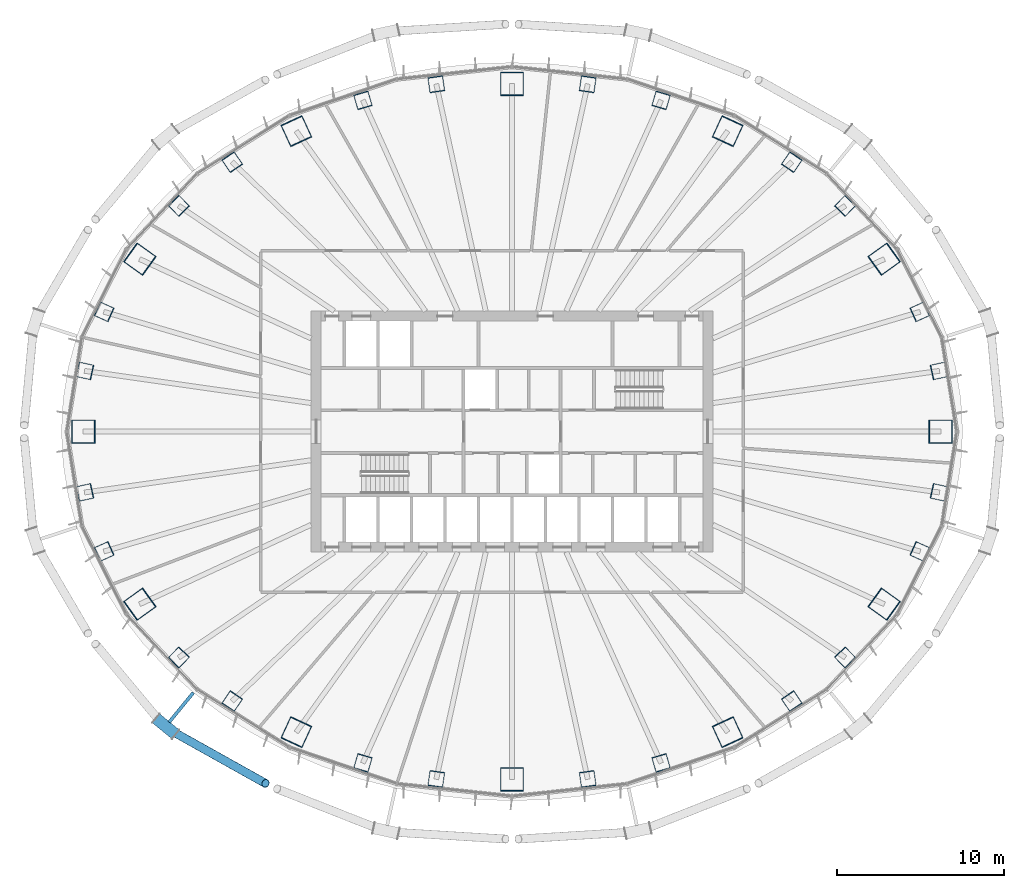
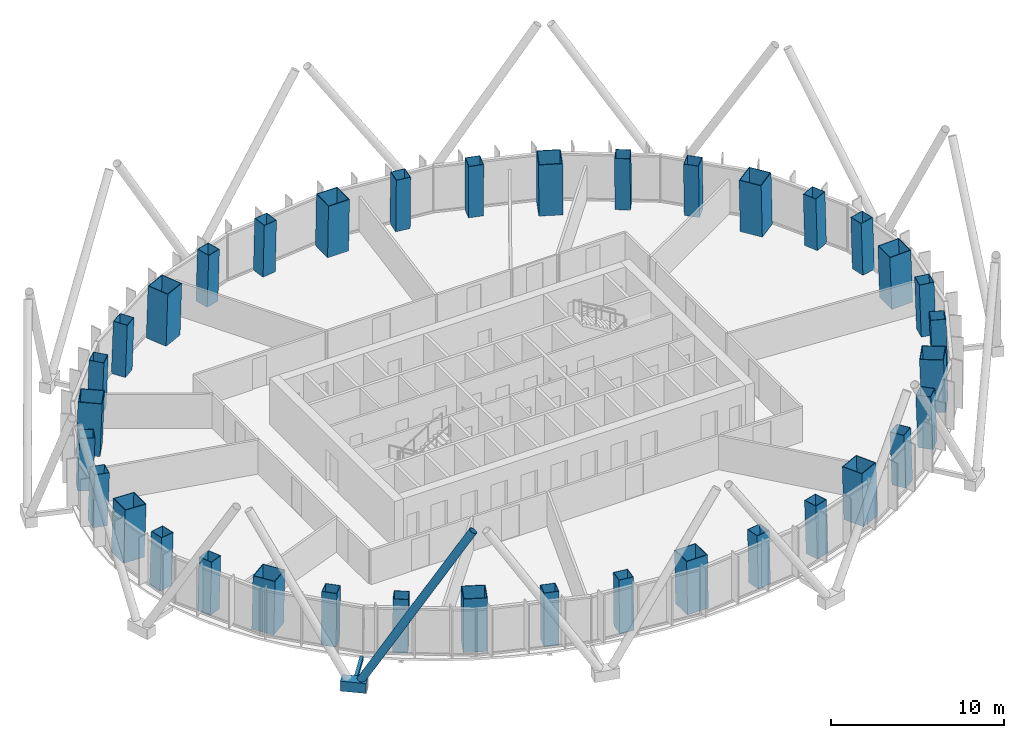
# One storey, part 1 of 18: 36 columns, 3 members.
"""IFC4 building model written with IfcOpenShell, lengths in metres."""

from ifc_helpers import new_model, si_unit, direction, frame, origin, origin_2d, place, context, subcontext, project, spatial, hollow_rectangle, hollow_circle, extrude, material, material_profile, profile_set, type_object, element, save


model = new_model("IFC4")

# Units and contexts
model_context = context("Model", 3, precision=1e-05, world=origin(), true_north=direction((0.0, 1.0)))
body_context = subcontext(model_context, "Body", "Model", "MODEL_VIEW")
ifc_project = project(units=[si_unit("LENGTHUNIT", "METRE"), si_unit("AREAUNIT", "SQUARE_METRE"), si_unit("VOLUMEUNIT", "CUBIC_METRE"), si_unit("PLANEANGLEUNIT", "RADIAN"), si_unit("MASSUNIT", "GRAM", prefix="KILO")], contexts=[model_context])

# Site, building, storey
site_placement = place(None, origin())
site = spatial("IfcSite", under=ifc_project, at=site_placement, CompositionType="ELEMENT")
building_placement = place(site_placement, origin())
building = spatial("IfcBuilding", under=site, at=building_placement, Name="Siaravel Broadcast Tower", CompositionType="ELEMENT")
storey_placement = place(building_placement, frame((0.0, 0.0, 81.5)))
storey = spatial("IfcBuildingStorey", under=building, at=storey_placement, Name="L19", CompositionType="ELEMENT", Elevation=81.5)

# Columns
ifc_material_1 = material(Name="Concrete C70/85", Category="concrete")
ifc_material_profile_1 = material_profile(ifc_material_1, hollow_rectangle(XDim=1.39990234375, YDim=1.39990234375, WallThickness=0.0400390625, at=origin_2d()))
ifc_profile_set_1 = profile_set([ifc_material_profile_1], Name="Concrete C70/85")
column_type_1 = type_object("IfcColumnType", Name="COL-CFT BOX 1400x1400x40", PredefinedType="COLUMN", material=ifc_profile_set_1)
column_1_placement = place(storey_placement, frame((25.62158203125, 0.0, 0.0), z_axis=(-0.034621265, 0.0, 0.999400504), x_axis=(0.0, -1.0, 0.0)))
element("IfcColumn", 1, at=column_1_placement, inside=storey, type_object=column_type_1, Name="Megacolumn MC01", PredefinedType="COLUMN", context=body_context, shape_type="SweptSolid", body=[
    extrude(hollow_rectangle(XDim=1.39990234375, YDim=1.39990234375, WallThickness=0.0400390625, at=origin_2d()), origin(), (0.0, 0.0, 1.0), 3.7021484375),
])
column_2_placement = place(storey_placement, frame((22.242431640625, 10.310302734375, 0.0), z_axis=(-0.029940667, -0.01417895, 0.999451106), x_axis=(0.582740001, -0.812637031, 0.005928538)))
element("IfcColumn", 2, at=column_2_placement, inside=storey, type_object=column_type_1, Name="Megacolumn MC02", PredefinedType="COLUMN", context=body_context, shape_type="SweptSolid", body=[
    extrude(hollow_rectangle(XDim=1.39990234375, YDim=1.39990234375, WallThickness=0.0400390625, at=origin_2d()), origin(), (0.0, 0.0, 1.0), 3.701904296875),
])
column_3_placement = place(storey_placement, frame((12.890380859375, 17.961181640625, 0.0), z_axis=(-0.017280209, -0.024601214, 0.999547985), x_axis=(0.908252057, -0.418388568, 0.005404362)))
element("IfcColumn", 3, at=column_3_placement, inside=storey, type_object=column_type_1, Name="Megacolumn MC03", PredefinedType="COLUMN", context=body_context, shape_type="SweptSolid", body=[
    extrude(hollow_rectangle(XDim=1.39990234375, YDim=1.39990234375, WallThickness=0.0400390625, at=origin_2d()), origin(), (0.0, 0.0, 1.0), 3.70166015625),
])
column_4_placement = place(storey_placement, frame((0.0, 20.787841796875, 0.0), z_axis=(0.0, -0.028296154, 0.999599584), x_axis=(1.0, 0.0, 0.0)))
element("IfcColumn", 4, at=column_4_placement, inside=storey, type_object=column_type_1, Name="Megacolumn MC04", PredefinedType="COLUMN", context=body_context, shape_type="SweptSolid", body=[
    extrude(hollow_rectangle(XDim=1.39990234375, YDim=1.39990234375, WallThickness=0.0400390625, at=origin_2d()), origin(), (0.0, 0.0, 1.0), 3.701416015625),
])
column_5_placement = place(storey_placement, frame((-12.890380859375, 17.961181640625, 0.0), z_axis=(0.017280209, -0.024601214, 0.999547985), x_axis=(0.908252057, 0.418388568, -0.005404362)))
element("IfcColumn", 5, at=column_5_placement, inside=storey, type_object=column_type_1, Name="Megacolumn MC05", PredefinedType="COLUMN", context=body_context, shape_type="SweptSolid", body=[
    extrude(hollow_rectangle(XDim=1.39990234375, YDim=1.39990234375, WallThickness=0.0400390625, at=origin_2d()), origin(), (0.0, 0.0, 1.0), 3.70166015625),
])
column_6_placement = place(storey_placement, frame((-22.242431640625, 10.310302734375, 0.0), z_axis=(0.029940667, -0.01417895, 0.999451106), x_axis=(0.582740001, 0.812637031, -0.005928538)))
element("IfcColumn", 6, at=column_6_placement, inside=storey, type_object=column_type_1, Name="Megacolumn MC06", PredefinedType="COLUMN", context=body_context, shape_type="SweptSolid", body=[
    extrude(hollow_rectangle(XDim=1.39990234375, YDim=1.39990234375, WallThickness=0.0400390625, at=origin_2d()), origin(), (0.0, 0.0, 1.0), 3.701904296875),
])
column_7_placement = place(storey_placement, frame((-25.62158203125, 0.0, 0.0), z_axis=(0.034621265, 0.0, 0.999400504), x_axis=(0.0, 1.0, 0.0)))
element("IfcColumn", 7, at=column_7_placement, inside=storey, type_object=column_type_1, Name="Megacolumn MC07", PredefinedType="COLUMN", context=body_context, shape_type="SweptSolid", body=[
    extrude(hollow_rectangle(XDim=1.39990234375, YDim=1.39990234375, WallThickness=0.0400390625, at=origin_2d()), origin(), (0.0, 0.0, 1.0), 3.7021484375),
])
column_8_placement = place(storey_placement, frame((-22.242431640625, -10.310302734375, 0.0), z_axis=(0.029940667, 0.01417895, 0.999451106), x_axis=(-0.582740001, 0.812637031, 0.005928538)))
element("IfcColumn", 8, at=column_8_placement, inside=storey, type_object=column_type_1, Name="Megacolumn MC08", PredefinedType="COLUMN", context=body_context, shape_type="SweptSolid", body=[
    extrude(hollow_rectangle(XDim=1.39990234375, YDim=1.39990234375, WallThickness=0.0400390625, at=origin_2d()), origin(), (0.0, 0.0, 1.0), 3.701904296875),
])
column_9_placement = place(storey_placement, frame((-12.890380859375, -17.961181640625, 0.0), z_axis=(0.017280209, 0.024601214, 0.999547985), x_axis=(-0.908252057, 0.418388568, 0.005404362)))
element("IfcColumn", 9, at=column_9_placement, inside=storey, type_object=column_type_1, Name="Megacolumn MC09", PredefinedType="COLUMN", context=body_context, shape_type="SweptSolid", body=[
    extrude(hollow_rectangle(XDim=1.39990234375, YDim=1.39990234375, WallThickness=0.0400390625, at=origin_2d()), origin(), (0.0, 0.0, 1.0), 3.70166015625),
])
column_10_placement = place(storey_placement, frame((0.0, -20.787841796875, 0.0), z_axis=(0.0, 0.028296154, 0.999599584), x_axis=(-1.0, 0.0, 0.0)))
element("IfcColumn", 10, at=column_10_placement, inside=storey, type_object=column_type_1, Name="Megacolumn MC10", PredefinedType="COLUMN", context=body_context, shape_type="SweptSolid", body=[
    extrude(hollow_rectangle(XDim=1.39990234375, YDim=1.39990234375, WallThickness=0.0400390625, at=origin_2d()), origin(), (0.0, 0.0, 1.0), 3.701416015625),
])
column_11_placement = place(storey_placement, frame((12.890380859375, -17.961181640625, 0.0), z_axis=(-0.017280209, 0.024601214, 0.999547985), x_axis=(-0.908252057, -0.418388568, -0.005404362)))
element("IfcColumn", 11, at=column_11_placement, inside=storey, type_object=column_type_1, Name="Megacolumn MC11", PredefinedType="COLUMN", context=body_context, shape_type="SweptSolid", body=[
    extrude(hollow_rectangle(XDim=1.39990234375, YDim=1.39990234375, WallThickness=0.0400390625, at=origin_2d()), origin(), (0.0, 0.0, 1.0), 3.70166015625),
])
column_12_placement = place(storey_placement, frame((22.242431640625, -10.310302734375, 0.0), z_axis=(-0.029940667, 0.01417895, 0.999451106), x_axis=(-0.582740001, -0.812637031, -0.005928538)))
element("IfcColumn", 12, at=column_12_placement, inside=storey, type_object=column_type_1, Name="Megacolumn MC12", PredefinedType="COLUMN", context=body_context, shape_type="SweptSolid", body=[
    extrude(hollow_rectangle(XDim=1.39990234375, YDim=1.39990234375, WallThickness=0.0400390625, at=origin_2d()), origin(), (0.0, 0.0, 1.0), 3.701904296875),
])
ifc_material_profile_2 = material_profile(ifc_material_1, hollow_rectangle(XDim=0.89990234375, YDim=0.89990234375, WallThickness=0.02490234375, at=origin_2d()))
ifc_profile_set_2 = profile_set([ifc_material_profile_2], Name="Concrete C70/85")
column_type_2 = type_object("IfcColumnType", Name="COL-CFT BOX 900x900x25", PredefinedType="COLUMN", material=ifc_profile_set_2)
for number, where, z_axis, x_axis, name in (
    (13, (25.533447265625, 3.63232421875, 0.0), (-0.034093914, -0.00487998, 0.999406719), (0.211242646, -0.977430622, 0.002433691), "Perimeter column C01"),
    (14, (24.37890625, 7.161376953125, 0.0), (-0.032511791, -0.009694185, 0.999424337), (0.40971066, -0.91220453, 0.004479927), "Perimeter column C02"),
):
    element("IfcColumn", number, at=place(storey_placement, frame(where, z_axis=z_axis, x_axis=x_axis)), inside=storey, type_object=column_type_2, Name=name, PredefinedType="COLUMN", context=body_context, shape_type="SweptSolid", body=[
        extrude(hollow_rectangle(XDim=0.89990234375, YDim=0.89990234375, WallThickness=0.02490234375, at=origin_2d()), origin(), (0.0, 0.0, 1.0), 3.7021484375),
    ])
column_13_placement = place(storey_placement, frame((19.910888671875, 13.496826171875, 0.0), z_axis=(-0.026446274, -0.018202423, 0.9994845), x_axis=(0.720439783, -0.693487659, 0.006433108)))
element("IfcColumn", 15, at=column_13_placement, inside=storey, type_object=column_type_2, Name="Perimeter column C03", PredefinedType="COLUMN", context=body_context, shape_type="SweptSolid", body=[
    extrude(hollow_rectangle(XDim=0.89990234375, YDim=0.89990234375, WallThickness=0.02490234375, at=origin_2d()), origin(), (0.0, 0.0, 1.0), 3.701904296875),
])
column_14_placement = place(storey_placement, frame((16.72314453125, 16.10791015625, 0.0), z_axis=(-0.022226156, -0.021698532, 0.999517469), x_axis=(0.827832479, -0.560940783, 0.006230949)))
element("IfcColumn", 16, at=column_14_placement, inside=storey, type_object=column_type_2, Name="Perimeter column C04", PredefinedType="COLUMN", context=body_context, shape_type="SweptSolid", body=[
    extrude(hollow_rectangle(XDim=0.89990234375, YDim=0.89990234375, WallThickness=0.02490234375, at=origin_2d()), origin(), (0.0, 0.0, 1.0), 3.70166015625),
])
for number, where, z_axis, x_axis, name in (
    (17, (8.91064453125, 19.80126953125, 0.0), (-0.011806266, -0.026646544, 0.999575197), (0.95993093, -0.280210004, 0.003868215), "Perimeter column C05"),
    (18, (4.52587890625, 20.763671875, 0.0), (-0.006068129, -0.027900201, 0.999592295), (0.989788987, -0.142525924, 0.002030493), "Perimeter column C06"),
    (19, (-4.52587890625, 20.763671875, 0.0), (0.006068129, -0.027900201, 0.999592295), (0.989788987, 0.142525924, -0.002030493), "Perimeter column C07"),
    (20, (-8.91064453125, 19.80126953125, 0.0), (0.011806266, -0.026646544, 0.999575197), (0.95993093, 0.280210004, -0.003868215), "Perimeter column C08"),
):
    element("IfcColumn", number, at=place(storey_placement, frame(where, z_axis=z_axis, x_axis=x_axis)), inside=storey, type_object=column_type_2, Name=name, PredefinedType="COLUMN", context=body_context, shape_type="SweptSolid", body=[
        extrude(hollow_rectangle(XDim=0.89990234375, YDim=0.89990234375, WallThickness=0.02490234375, at=origin_2d()), origin(), (0.0, 0.0, 1.0), 3.701416015625),
    ])
column_15_placement = place(storey_placement, frame((-16.72314453125, 16.10791015625, 0.0), z_axis=(0.022226156, -0.021698532, 0.999517469), x_axis=(0.827832479, 0.560940783, -0.006230949)))
element("IfcColumn", 21, at=column_15_placement, inside=storey, type_object=column_type_2, Name="Perimeter column C09", PredefinedType="COLUMN", context=body_context, shape_type="SweptSolid", body=[
    extrude(hollow_rectangle(XDim=0.89990234375, YDim=0.89990234375, WallThickness=0.02490234375, at=origin_2d()), origin(), (0.0, 0.0, 1.0), 3.70166015625),
])
column_16_placement = place(storey_placement, frame((-19.910888671875, 13.496826171875, 0.0), z_axis=(0.026446274, -0.018202423, 0.9994845), x_axis=(0.720439783, 0.693487659, -0.006433108)))
element("IfcColumn", 22, at=column_16_placement, inside=storey, type_object=column_type_2, Name="Perimeter column C10", PredefinedType="COLUMN", context=body_context, shape_type="SweptSolid", body=[
    extrude(hollow_rectangle(XDim=0.89990234375, YDim=0.89990234375, WallThickness=0.02490234375, at=origin_2d()), origin(), (0.0, 0.0, 1.0), 3.701904296875),
])
for number, where, z_axis, x_axis, name in (
    (23, (-24.37890625, 7.161376953125, 0.0), (0.032511791, -0.009694185, 0.999424337), (0.40971066, 0.91220453, -0.004479927), "Perimeter column C11"),
    (24, (-25.533447265625, 3.63232421875, 0.0), (0.034093914, -0.00487998, 0.999406719), (0.211242646, 0.977430622, -0.002433691), "Perimeter column C12"),
    (25, (-25.533447265625, -3.63232421875, 0.0), (0.034093914, 0.00487998, 0.999406719), (-0.211242646, 0.977430622, 0.002433691), "Perimeter column C13"),
    (26, (-24.37890625, -7.161376953125, 0.0), (0.032511791, 0.009694185, 0.999424337), (-0.40971066, 0.91220453, 0.004479927), "Perimeter column C14"),
):
    element("IfcColumn", number, at=place(storey_placement, frame(where, z_axis=z_axis, x_axis=x_axis)), inside=storey, type_object=column_type_2, Name=name, PredefinedType="COLUMN", context=body_context, shape_type="SweptSolid", body=[
        extrude(hollow_rectangle(XDim=0.89990234375, YDim=0.89990234375, WallThickness=0.02490234375, at=origin_2d()), origin(), (0.0, 0.0, 1.0), 3.7021484375),
    ])
column_17_placement = place(storey_placement, frame((-19.910888671875, -13.496826171875, 0.0), z_axis=(0.026446274, 0.018202423, 0.9994845), x_axis=(-0.720439783, 0.693487659, 0.006433108)))
element("IfcColumn", 27, at=column_17_placement, inside=storey, type_object=column_type_2, Name="Perimeter column C15", PredefinedType="COLUMN", context=body_context, shape_type="SweptSolid", body=[
    extrude(hollow_rectangle(XDim=0.89990234375, YDim=0.89990234375, WallThickness=0.02490234375, at=origin_2d()), origin(), (0.0, 0.0, 1.0), 3.701904296875),
])
column_18_placement = place(storey_placement, frame((-16.72314453125, -16.10791015625, 0.0), z_axis=(0.022226156, 0.021698532, 0.999517469), x_axis=(-0.827832479, 0.560940783, 0.006230949)))
element("IfcColumn", 28, at=column_18_placement, inside=storey, type_object=column_type_2, Name="Perimeter column C16", PredefinedType="COLUMN", context=body_context, shape_type="SweptSolid", body=[
    extrude(hollow_rectangle(XDim=0.89990234375, YDim=0.89990234375, WallThickness=0.02490234375, at=origin_2d()), origin(), (0.0, 0.0, 1.0), 3.70166015625),
])
for number, where, z_axis, x_axis, name in (
    (29, (-8.91064453125, -19.80126953125, 0.0), (0.011806266, 0.026646544, 0.999575197), (-0.95993093, 0.280210004, 0.003868215), "Perimeter column C17"),
    (30, (-4.52587890625, -20.763671875, 0.0), (0.006068129, 0.027900201, 0.999592295), (-0.989788987, 0.142525924, 0.002030493), "Perimeter column C18"),
    (31, (4.52587890625, -20.763671875, 0.0), (-0.006068129, 0.027900201, 0.999592295), (-0.989788987, -0.142525924, -0.002030493), "Perimeter column C19"),
    (32, (8.91064453125, -19.80126953125, 0.0), (-0.011806266, 0.026646544, 0.999575197), (-0.95993093, -0.280210004, -0.003868215), "Perimeter column C20"),
):
    element("IfcColumn", number, at=place(storey_placement, frame(where, z_axis=z_axis, x_axis=x_axis)), inside=storey, type_object=column_type_2, Name=name, PredefinedType="COLUMN", context=body_context, shape_type="SweptSolid", body=[
        extrude(hollow_rectangle(XDim=0.89990234375, YDim=0.89990234375, WallThickness=0.02490234375, at=origin_2d()), origin(), (0.0, 0.0, 1.0), 3.701416015625),
    ])
column_19_placement = place(storey_placement, frame((16.72314453125, -16.10791015625, 0.0), z_axis=(-0.022226156, 0.021698532, 0.999517469), x_axis=(-0.827832479, -0.560940783, -0.006230949)))
element("IfcColumn", 33, at=column_19_placement, inside=storey, type_object=column_type_2, Name="Perimeter column C21", PredefinedType="COLUMN", context=body_context, shape_type="SweptSolid", body=[
    extrude(hollow_rectangle(XDim=0.89990234375, YDim=0.89990234375, WallThickness=0.02490234375, at=origin_2d()), origin(), (0.0, 0.0, 1.0), 3.70166015625),
])
column_20_placement = place(storey_placement, frame((19.910888671875, -13.496826171875, 0.0), z_axis=(-0.026446274, 0.018202423, 0.9994845), x_axis=(-0.720439783, -0.693487659, -0.006433108)))
element("IfcColumn", 34, at=column_20_placement, inside=storey, type_object=column_type_2, Name="Perimeter column C22", PredefinedType="COLUMN", context=body_context, shape_type="SweptSolid", body=[
    extrude(hollow_rectangle(XDim=0.89990234375, YDim=0.89990234375, WallThickness=0.02490234375, at=origin_2d()), origin(), (0.0, 0.0, 1.0), 3.701904296875),
])
for number, where, z_axis, x_axis, name in (
    (35, (24.37890625, -7.161376953125, 0.0), (-0.032511791, 0.009694185, 0.999424337), (-0.40971066, -0.91220453, -0.004479927), "Perimeter column C23"),
    (36, (25.533447265625, -3.63232421875, 0.0), (-0.034093914, 0.00487998, 0.999406719), (-0.211242646, -0.977430622, -0.002433691), "Perimeter column C24"),
):
    element("IfcColumn", number, at=place(storey_placement, frame(where, z_axis=z_axis, x_axis=x_axis)), inside=storey, type_object=column_type_2, Name=name, PredefinedType="COLUMN", context=body_context, shape_type="SweptSolid", body=[
        extrude(hollow_rectangle(XDim=0.89990234375, YDim=0.89990234375, WallThickness=0.02490234375, at=origin_2d()), origin(), (0.0, 0.0, 1.0), 3.7021484375),
    ])

# Members
ifc_material_2 = material(Name="Steel S460", Category="steel")
ifc_material_profile_3 = material_profile(ifc_material_2, hollow_circle(Radius=0.25390625, WallThickness=0.02001953125, at=origin_2d()))
ifc_profile_set_3 = profile_set([ifc_material_profile_3], Name="Steel S460")
member_type_1 = type_object("IfcMemberType", Name="Diagrid diagonal CHS 508x20", PredefinedType="BRACE", material=ifc_profile_set_3)
member_1_placement = place(storey_placement, frame((-20.384765625, -17.840087890625, 0.1201171875), z_axis=(0.460228971, -0.257304605, 0.849696201), x_axis=(0.487991636, 0.872848305, 0.0)))
element("IfcMember", 37, at=member_1_placement, inside=storey, type_object=member_type_1, Name="Diagrid diagonal R08 station 45A", PredefinedType="BRACE", context=body_context, shape_type="SweptSolid", body=[
    extrude(hollow_circle(Radius=0.25390625, WallThickness=0.02001953125, at=origin_2d()), origin(), (0.0, 0.0, 1.0), 12.310302734375),
])
ifc_material_profile_4 = material_profile(ifc_material_2, hollow_rectangle(XDim=0.699951171875, YDim=0.699951171875, WallThickness=0.0400390625, at=origin_2d()))
ifc_profile_set_4 = profile_set([ifc_material_profile_4], Name="Steel S460")
member_type_2 = type_object("IfcMemberType", Name="Diagrid node BOX 700x700x40", PredefinedType="USERDEFINED", material=ifc_profile_set_4)
member_2_placement = place(storey_placement, frame((-21.260986328125, -17.122314453125, -0.199951171875), z_axis=(0.773560079, -0.633722972, 0.0), x_axis=(0.633722972, 0.773560079, 0.0)))
element("IfcMember", 38, at=member_2_placement, inside=storey, type_object=member_type_2, Name="Diagrid node R08 station 45", ObjectType="DIAGRID NODE", PredefinedType="USERDEFINED", context=body_context, shape_type="SweptSolid", body=[
    extrude(hollow_rectangle(XDim=0.699951171875, YDim=0.699951171875, WallThickness=0.0400390625, at=origin_2d()), origin(), (0.0, 0.0, 1.0), 1.506591796875),
])
ifc_material_profile_5 = material_profile(ifc_material_2, hollow_rectangle(XDim=0.199951171875, YDim=0.300048828125, WallThickness=0.012451171875, at=origin_2d()))
ifc_profile_set_5 = profile_set([ifc_material_profile_5], Name="Steel S460")
member_type_3 = type_object("IfcMemberType", Name="Diagrid node arm RHS 300x200x12.5", PredefinedType="STRUT", material=ifc_profile_set_5)
member_3_placement = place(storey_placement, frame((-19.03076171875, -15.58837890625, -0.199951171875), z_axis=(-0.63366334, -0.773608927, 0.0), x_axis=(0.773608927, -0.63366334, 0.0)))
element("IfcMember", 39, at=member_3_placement, inside=storey, type_object=member_type_3, Name="Node arm R08 station 45", PredefinedType="STRUT", context=body_context, shape_type="SweptSolid", body=[
    extrude(hollow_rectangle(XDim=0.199951171875, YDim=0.300048828125, WallThickness=0.012451171875, at=origin_2d()), origin(), (0.0, 0.0, 1.0), 2.280029296875),
])

save(model, "model.ifc")
